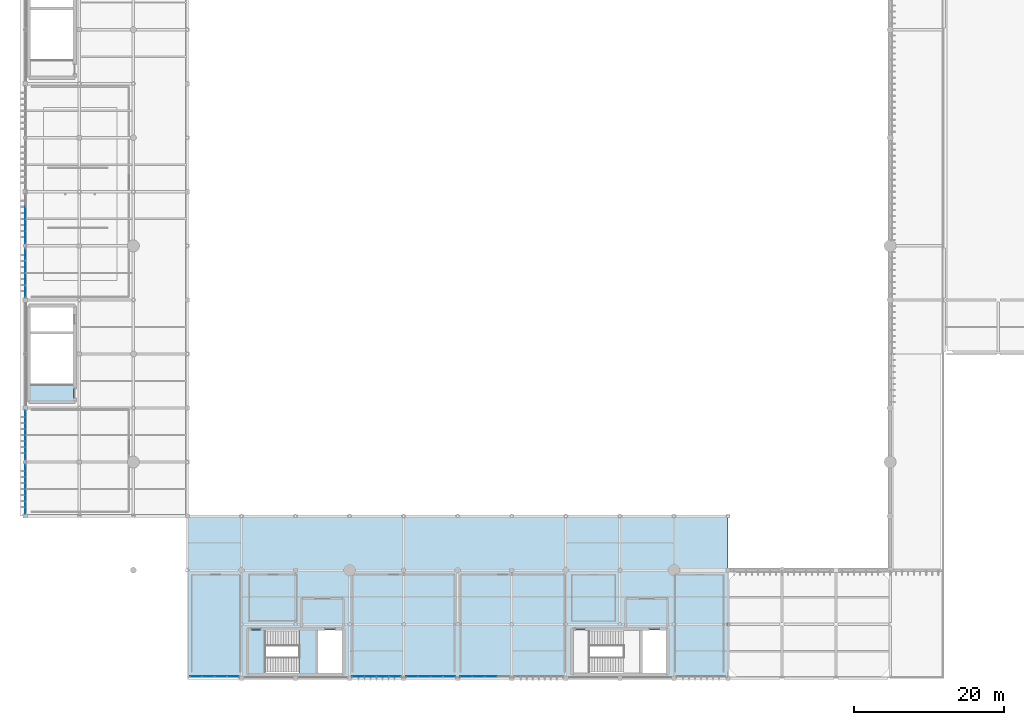
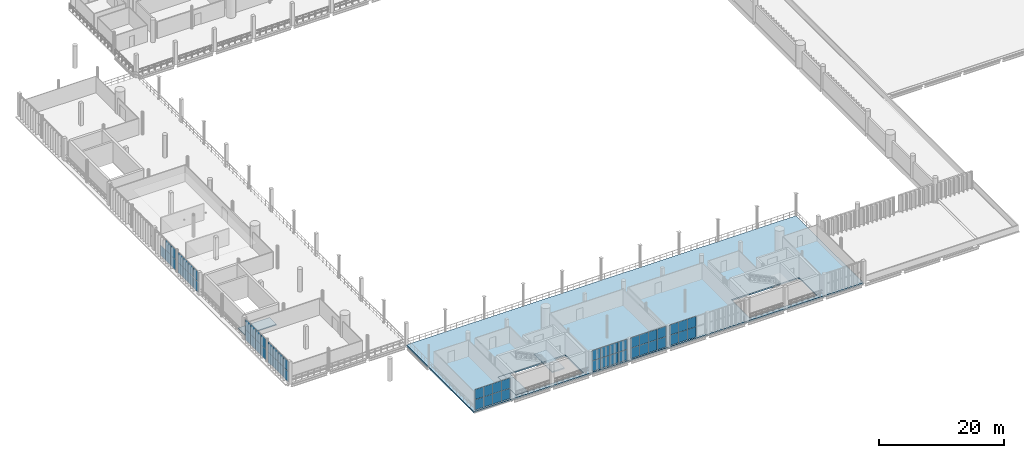
# One storey, part 51 of 81: 59 plates, 4 slabs, 9 elements without a shape of their own.
"""IFC4 building model written with IfcOpenShell, lengths in metres."""

from ifc_helpers import new_model, si_unit, direction, frame, origin, origin_2d, place, context, subcontext, project, spatial, polyline, rectangle, outline, extrude, material, layer, layer_set, type_object, element, aggregate, save


model = new_model("IFC4")

# Units and contexts
model_context = context("Model", 3, precision=1e-05, world=origin(), true_north=direction((0.0, 1.0)))
body_context = subcontext(model_context, "Body", "Model", "MODEL_VIEW")
ifc_project = project(units=[si_unit("LENGTHUNIT", "METRE"), si_unit("AREAUNIT", "SQUARE_METRE"), si_unit("VOLUMEUNIT", "CUBIC_METRE"), si_unit("PLANEANGLEUNIT", "RADIAN"), si_unit("MASSUNIT", "GRAM", prefix="KILO")], contexts=[model_context])

# Site, building, storey
site_placement = place(None, origin())
site = spatial("IfcSite", under=ifc_project, at=site_placement, CompositionType="ELEMENT")
building_placement = place(site_placement, origin())
building = spatial("IfcBuilding", under=site, at=building_placement, Name="Qandorah Velis Arena", CompositionType="ELEMENT")
storey_placement = place(building_placement, frame((0.0, 0.0, 18.60009765625)))
storey = spatial("IfcBuildingStorey", under=building, at=storey_placement, Name="L04", CompositionType="ELEMENT", Elevation=18.60009765625)

# Curtain wall, plates
ifc_material_1 = material(Name="Solar-control low-E double glazing", Category="glass")
curtain_wall_type_1 = type_object("IfcCurtainWallType", Name="ARC-CW-SYS10", PredefinedType="USERDEFINED", material=ifc_material_1)
curtain_wall_1_placement = place(storey_placement, origin())
curtain_wall_1 = element("IfcCurtainWall", 1, at=curtain_wall_1_placement, inside=storey, type_object=curtain_wall_type_1, Name="Unitised curtain wall L04-034", ObjectType="UNITISED CURTAIN WALL", PredefinedType="USERDEFINED")
ifc_layer_1 = layer(ifc_material_1, 0.02392578125)
ifc_layer_set_1 = layer_set([ifc_layer_1], Name="Solar-control low-E double glazing")
plate_type_1 = type_object("IfcPlateType", Name="ARC-CWP-GLZ24", PredefinedType="CURTAIN_PANEL", material=ifc_layer_set_1)
plate_1_placement = place(storey_placement, frame((0.0, 58.7412109375, 0.054931640625), z_axis=(0.0, 0.0, 1.0), x_axis=(0.0, 1.0, 0.0)))
plate_1 = element("IfcPlate", 2, at=plate_1_placement, type_object=plate_type_1, Name="CW10 panel 1.1", PredefinedType="CURTAIN_PANEL", context=body_context, shape_type="SweptSolid", body=[
    extrude(rectangle(XDim=1.572509765625, YDim=0.02392578125, at=origin_2d()), origin(), (0.0, 0.0, 1.0), 1.99755859375),
])
plate_2_placement = place(storey_placement, frame((0.0, 58.7412109375, 2.097412109375), z_axis=(0.0, 0.0, 1.0), x_axis=(0.0, 1.0, 0.0)))
plate_2 = element("IfcPlate", 3, at=plate_2_placement, type_object=plate_type_1, Name="CW10 panel 1.2", PredefinedType="CURTAIN_PANEL", context=body_context, shape_type="SweptSolid", body=[
    extrude(rectangle(XDim=1.572509765625, YDim=0.02392578125, at=origin_2d()), origin(), (0.0, 0.0, 1.0), 1.99755859375),
])
plate_3_placement = place(storey_placement, frame((0.0, 60.375, 0.054931640625), z_axis=(0.0, 0.0, 1.0), x_axis=(0.0, 1.0, 0.0)))
plate_3 = element("IfcPlate", 4, at=plate_3_placement, type_object=plate_type_1, Name="CW10 panel 2.1", PredefinedType="CURTAIN_PANEL", context=body_context, shape_type="SweptSolid", body=[
    extrude(rectangle(XDim=1.60498046875, YDim=0.02392578125, at=origin_2d()), origin(), (0.0, 0.0, 1.0), 1.99755859375),
])
plate_4_placement = place(storey_placement, frame((0.0, 60.375, 2.097412109375), z_axis=(0.0, 0.0, 1.0), x_axis=(0.0, 1.0, 0.0)))
plate_4 = element("IfcPlate", 5, at=plate_4_placement, type_object=plate_type_1, Name="CW10 panel 2.2", PredefinedType="CURTAIN_PANEL", context=body_context, shape_type="SweptSolid", body=[
    extrude(rectangle(XDim=1.60498046875, YDim=0.02392578125, at=origin_2d()), origin(), (0.0, 0.0, 1.0), 1.99755859375),
])
plate_5_placement = place(storey_placement, frame((0.0, 62.02490234375, 0.054931640625), z_axis=(0.0, 0.0, 1.0), x_axis=(0.0, 1.0, 0.0)))
plate_5 = element("IfcPlate", 6, at=plate_5_placement, type_object=plate_type_1, Name="CW10 panel 3.1", PredefinedType="CURTAIN_PANEL", context=body_context, shape_type="SweptSolid", body=[
    extrude(rectangle(XDim=1.60498046875, YDim=0.02392578125, at=origin_2d()), origin(), (0.0, 0.0, 1.0), 1.99755859375),
])
aggregate(curtain_wall_1, [plate_1, plate_2, plate_3, plate_4, plate_5])

curtain_wall_type_2 = type_object("IfcCurtainWallType", Name="ARC-CW-SYS02", PredefinedType="USERDEFINED", material=ifc_material_1)
curtain_wall_2_placement = place(storey_placement, origin())
curtain_wall_2 = element("IfcCurtainWall", 7, at=curtain_wall_2_placement, inside=storey, type_object=curtain_wall_type_2, Name="Unitised curtain wall L04-074", ObjectType="UNITISED CURTAIN WALL", PredefinedType="USERDEFINED")
plate_6_placement = place(storey_placement, frame((44.34130859375, 0.25, 0.054931640625), z_axis=(0.0, 0.0, 1.0), x_axis=(1.0, 0.0, 0.0)))
plate_6 = element("IfcPlate", 8, at=plate_6_placement, type_object=plate_type_1, Name="CW02 panel 1.1", PredefinedType="CURTAIN_PANEL", context=body_context, shape_type="SweptSolid", body=[
    extrude(rectangle(XDim=1.572509765625, YDim=0.02392578125, at=origin_2d()), origin(), (0.0, 0.0, 1.0), 1.99755859375),
])
plate_7_placement = place(storey_placement, frame((44.34130859375, 0.25, 2.097412109375), z_axis=(0.0, 0.0, 1.0), x_axis=(1.0, 0.0, 0.0)))
plate_7 = element("IfcPlate", 9, at=plate_7_placement, type_object=plate_type_1, Name="CW02 panel 1.2", PredefinedType="CURTAIN_PANEL", context=body_context, shape_type="SweptSolid", body=[
    extrude(rectangle(XDim=1.572509765625, YDim=0.02392578125, at=origin_2d()), origin(), (0.0, 0.0, 1.0), 1.99755859375),
])
plate_8_placement = place(storey_placement, frame((45.97509765625, 0.25, 0.054931640625), z_axis=(0.0, 0.0, 1.0), x_axis=(1.0, 0.0, 0.0)))
plate_8 = element("IfcPlate", 10, at=plate_8_placement, type_object=plate_type_1, Name="CW02 panel 2.1", PredefinedType="CURTAIN_PANEL", context=body_context, shape_type="SweptSolid", body=[
    extrude(rectangle(XDim=1.60498046875, YDim=0.02392578125, at=origin_2d()), origin(), (0.0, 0.0, 1.0), 1.99755859375),
])
plate_9_placement = place(storey_placement, frame((45.97509765625, 0.25, 2.097412109375), z_axis=(0.0, 0.0, 1.0), x_axis=(1.0, 0.0, 0.0)))
plate_9 = element("IfcPlate", 11, at=plate_9_placement, type_object=plate_type_1, Name="CW02 panel 2.2", PredefinedType="CURTAIN_PANEL", context=body_context, shape_type="SweptSolid", body=[
    extrude(rectangle(XDim=1.60498046875, YDim=0.02392578125, at=origin_2d()), origin(), (0.0, 0.0, 1.0), 1.99755859375),
])
plate_10_placement = place(storey_placement, frame((47.625, 0.25, 0.054931640625), z_axis=(0.0, 0.0, 1.0), x_axis=(1.0, 0.0, 0.0)))
plate_10 = element("IfcPlate", 12, at=plate_10_placement, type_object=plate_type_1, Name="CW02 panel 3.1", PredefinedType="CURTAIN_PANEL", context=body_context, shape_type="SweptSolid", body=[
    extrude(rectangle(XDim=1.60498046875, YDim=0.02392578125, at=origin_2d()), origin(), (0.0, 0.0, 1.0), 1.99755859375),
])
plate_11_placement = place(storey_placement, frame((47.625, 0.25, 2.097412109375), z_axis=(0.0, 0.0, 1.0), x_axis=(1.0, 0.0, 0.0)))
plate_11 = element("IfcPlate", 13, at=plate_11_placement, type_object=plate_type_1, Name="CW02 panel 3.2", PredefinedType="CURTAIN_PANEL", context=body_context, shape_type="SweptSolid", body=[
    extrude(rectangle(XDim=1.60498046875, YDim=0.02392578125, at=origin_2d()), origin(), (0.0, 0.0, 1.0), 1.99755859375),
])
plate_12_placement = place(storey_placement, frame((49.2587890625, 0.25, 0.054931640625), z_axis=(0.0, 0.0, 1.0), x_axis=(1.0, 0.0, 0.0)))
plate_12 = element("IfcPlate", 14, at=plate_12_placement, type_object=plate_type_1, Name="CW02 panel 4.1", PredefinedType="CURTAIN_PANEL", context=body_context, shape_type="SweptSolid", body=[
    extrude(rectangle(XDim=1.572509765625, YDim=0.02392578125, at=origin_2d()), origin(), (0.0, 0.0, 1.0), 1.99755859375),
])
plate_13_placement = place(storey_placement, frame((49.2587890625, 0.25, 2.097412109375), z_axis=(0.0, 0.0, 1.0), x_axis=(1.0, 0.0, 0.0)))
plate_13 = element("IfcPlate", 15, at=plate_13_placement, type_object=plate_type_1, Name="CW02 panel 4.2", PredefinedType="CURTAIN_PANEL", context=body_context, shape_type="SweptSolid", body=[
    extrude(rectangle(XDim=1.572509765625, YDim=0.02392578125, at=origin_2d()), origin(), (0.0, 0.0, 1.0), 1.99755859375),
])
aggregate(curtain_wall_2, [plate_6, plate_7, plate_8, plate_9, plate_10, plate_11, plate_12, plate_13])

curtain_wall_type_3 = type_object("IfcCurtainWallType", Name="ARC-CW-SYS09", PredefinedType="USERDEFINED", material=ifc_material_1)
curtain_wall_3_placement = place(storey_placement, origin())
curtain_wall_3 = element("IfcCurtainWall", 16, at=curtain_wall_3_placement, inside=storey, type_object=curtain_wall_type_3, Name="Unitised curtain wall L04-033", ObjectType="UNITISED CURTAIN WALL", PredefinedType="USERDEFINED")
ifc_layer_2 = layer(ifc_material_1, 0.028076171875)
ifc_layer_set_2 = layer_set([ifc_layer_2], Name="Solar-control low-E double glazing")
plate_type_2 = type_object("IfcPlateType", Name="ARC-CWP-GLZ28", PredefinedType="CURTAIN_PANEL", material=ifc_layer_set_2)
plate_14_placement = place(storey_placement, frame((0.0, 51.543701171875, 0.06494140625), z_axis=(0.0, 0.0, 1.0), x_axis=(0.0, 1.0, 0.0)))
plate_14 = element("IfcPlate", 17, at=plate_14_placement, type_object=plate_type_2, Name="CW09 panel 1.1", PredefinedType="CURTAIN_PANEL", context=body_context, shape_type="SweptSolid", body=[
    extrude(rectangle(XDim=1.5576171875, YDim=0.028076171875, at=origin_2d()), origin(), (0.0, 0.0, 1.0), 1.982421875),
])
plate_15_placement = place(storey_placement, frame((0.0, 51.543701171875, 2.1025390625), z_axis=(0.0, 0.0, 1.0), x_axis=(0.0, 1.0, 0.0)))
plate_15 = element("IfcPlate", 18, at=plate_15_placement, type_object=plate_type_2, Name="CW09 panel 1.2", PredefinedType="CURTAIN_PANEL", context=body_context, shape_type="SweptSolid", body=[
    extrude(rectangle(XDim=1.5576171875, YDim=0.028076171875, at=origin_2d()), origin(), (0.0, 0.0, 1.0), 1.982421875),
])
plate_16_placement = place(storey_placement, frame((0.0, 53.175048828125, 0.06494140625), z_axis=(0.0, 0.0, 1.0), x_axis=(0.0, 1.0, 0.0)))
plate_16 = element("IfcPlate", 19, at=plate_16_placement, type_object=plate_type_2, Name="CW09 panel 2.1", PredefinedType="CURTAIN_PANEL", context=body_context, shape_type="SweptSolid", body=[
    extrude(rectangle(XDim=1.594970703125, YDim=0.028076171875, at=origin_2d()), origin(), (0.0, 0.0, 1.0), 1.982421875),
])
plate_17_placement = place(storey_placement, frame((0.0, 53.175048828125, 2.1025390625), z_axis=(0.0, 0.0, 1.0), x_axis=(0.0, 1.0, 0.0)))
plate_17 = element("IfcPlate", 20, at=plate_17_placement, type_object=plate_type_2, Name="CW09 panel 2.2", PredefinedType="CURTAIN_PANEL", context=body_context, shape_type="SweptSolid", body=[
    extrude(rectangle(XDim=1.594970703125, YDim=0.028076171875, at=origin_2d()), origin(), (0.0, 0.0, 1.0), 1.982421875),
])
plate_18_placement = place(storey_placement, frame((0.0, 54.824951171875, 0.06494140625), z_axis=(0.0, 0.0, 1.0), x_axis=(0.0, 1.0, 0.0)))
plate_18 = element("IfcPlate", 21, at=plate_18_placement, type_object=plate_type_2, Name="CW09 panel 3.1", PredefinedType="CURTAIN_PANEL", context=body_context, shape_type="SweptSolid", body=[
    extrude(rectangle(XDim=1.594970703125, YDim=0.028076171875, at=origin_2d()), origin(), (0.0, 0.0, 1.0), 1.982421875),
])
plate_19_placement = place(storey_placement, frame((0.0, 54.824951171875, 2.1025390625), z_axis=(0.0, 0.0, 1.0), x_axis=(0.0, 1.0, 0.0)))
plate_19 = element("IfcPlate", 22, at=plate_19_placement, type_object=plate_type_2, Name="CW09 panel 3.2", PredefinedType="CURTAIN_PANEL", context=body_context, shape_type="SweptSolid", body=[
    extrude(rectangle(XDim=1.594970703125, YDim=0.028076171875, at=origin_2d()), origin(), (0.0, 0.0, 1.0), 1.982421875),
])
plate_20_placement = place(storey_placement, frame((0.0, 56.456298828125, 0.06494140625), z_axis=(0.0, 0.0, 1.0), x_axis=(0.0, 1.0, 0.0)))
plate_20 = element("IfcPlate", 23, at=plate_20_placement, type_object=plate_type_2, Name="CW09 panel 4.1", PredefinedType="CURTAIN_PANEL", context=body_context, shape_type="SweptSolid", body=[
    extrude(rectangle(XDim=1.5576171875, YDim=0.028076171875, at=origin_2d()), origin(), (0.0, 0.0, 1.0), 1.982421875),
])
plate_21_placement = place(storey_placement, frame((0.0, 56.456298828125, 2.1025390625), z_axis=(0.0, 0.0, 1.0), x_axis=(0.0, 1.0, 0.0)))
plate_21 = element("IfcPlate", 24, at=plate_21_placement, type_object=plate_type_2, Name="CW09 panel 4.2", PredefinedType="CURTAIN_PANEL", context=body_context, shape_type="SweptSolid", body=[
    extrude(rectangle(XDim=1.5576171875, YDim=0.028076171875, at=origin_2d()), origin(), (0.0, 0.0, 1.0), 1.982421875),
])
aggregate(curtain_wall_3, [plate_14, plate_15, plate_16, plate_17, plate_18, plate_19, plate_20, plate_21])

curtain_wall_type_4 = type_object("IfcCurtainWallType", Name="ARC-CW-SYS01", PredefinedType="USERDEFINED", material=ifc_material_1)
curtain_wall_4_placement = place(storey_placement, origin())
curtain_wall_4 = element("IfcCurtainWall", 25, at=curtain_wall_4_placement, inside=storey, type_object=curtain_wall_type_4, Name="Unitised curtain wall L04-073", ObjectType="UNITISED CURTAIN WALL", PredefinedType="USERDEFINED")
plate_22_placement = place(storey_placement, frame((22.74365234375, 0.25, 0.06494140625), z_axis=(0.0, 0.0, 1.0), x_axis=(1.0, 0.0, 0.0)))
plate_22 = element("IfcPlate", 26, at=plate_22_placement, type_object=plate_type_2, Name="CW01 panel 1.1", PredefinedType="CURTAIN_PANEL", context=body_context, shape_type="SweptSolid", body=[
    extrude(rectangle(XDim=1.5576171875, YDim=0.028076171875, at=origin_2d()), origin(), (0.0, 0.0, 1.0), 1.982421875),
])
plate_23_placement = place(storey_placement, frame((22.74365234375, 0.25, 2.1025390625), z_axis=(0.0, 0.0, 1.0), x_axis=(1.0, 0.0, 0.0)))
plate_23 = element("IfcPlate", 27, at=plate_23_placement, type_object=plate_type_2, Name="CW01 panel 1.2", PredefinedType="CURTAIN_PANEL", context=body_context, shape_type="SweptSolid", body=[
    extrude(rectangle(XDim=1.5576171875, YDim=0.028076171875, at=origin_2d()), origin(), (0.0, 0.0, 1.0), 1.982421875),
])
plate_24_placement = place(storey_placement, frame((24.375, 0.25, 0.06494140625), z_axis=(0.0, 0.0, 1.0), x_axis=(1.0, 0.0, 0.0)))
plate_24 = element("IfcPlate", 28, at=plate_24_placement, type_object=plate_type_2, Name="CW01 panel 2.1", PredefinedType="CURTAIN_PANEL", context=body_context, shape_type="SweptSolid", body=[
    extrude(rectangle(XDim=1.594970703125, YDim=0.028076171875, at=origin_2d()), origin(), (0.0, 0.0, 1.0), 1.982421875),
])
plate_25_placement = place(storey_placement, frame((24.375, 0.25, 2.1025390625), z_axis=(0.0, 0.0, 1.0), x_axis=(1.0, 0.0, 0.0)))
plate_25 = element("IfcPlate", 29, at=plate_25_placement, type_object=plate_type_2, Name="CW01 panel 2.2", PredefinedType="CURTAIN_PANEL", context=body_context, shape_type="SweptSolid", body=[
    extrude(rectangle(XDim=1.594970703125, YDim=0.028076171875, at=origin_2d()), origin(), (0.0, 0.0, 1.0), 1.982421875),
])
plate_26_placement = place(storey_placement, frame((26.02490234375, 0.25, 0.06494140625), z_axis=(0.0, 0.0, 1.0), x_axis=(1.0, 0.0, 0.0)))
plate_26 = element("IfcPlate", 30, at=plate_26_placement, type_object=plate_type_2, Name="CW01 panel 3.1", PredefinedType="CURTAIN_PANEL", context=body_context, shape_type="SweptSolid", body=[
    extrude(rectangle(XDim=1.594970703125, YDim=0.028076171875, at=origin_2d()), origin(), (0.0, 0.0, 1.0), 1.982421875),
])
plate_27_placement = place(storey_placement, frame((26.02490234375, 0.25, 2.1025390625), z_axis=(0.0, 0.0, 1.0), x_axis=(1.0, 0.0, 0.0)))
plate_27 = element("IfcPlate", 31, at=plate_27_placement, type_object=plate_type_2, Name="CW01 panel 3.2", PredefinedType="CURTAIN_PANEL", context=body_context, shape_type="SweptSolid", body=[
    extrude(rectangle(XDim=1.594970703125, YDim=0.028076171875, at=origin_2d()), origin(), (0.0, 0.0, 1.0), 1.982421875),
])
plate_28_placement = place(storey_placement, frame((27.65625, 0.25, 0.06494140625), z_axis=(0.0, 0.0, 1.0), x_axis=(1.0, 0.0, 0.0)))
plate_28 = element("IfcPlate", 32, at=plate_28_placement, type_object=plate_type_2, Name="CW01 panel 4.1", PredefinedType="CURTAIN_PANEL", context=body_context, shape_type="SweptSolid", body=[
    extrude(rectangle(XDim=1.5576171875, YDim=0.028076171875, at=origin_2d()), origin(), (0.0, 0.0, 1.0), 1.982421875),
])
plate_29_placement = place(storey_placement, frame((27.65625, 0.25, 2.1025390625), z_axis=(0.0, 0.0, 1.0), x_axis=(1.0, 0.0, 0.0)))
plate_29 = element("IfcPlate", 33, at=plate_29_placement, type_object=plate_type_2, Name="CW01 panel 4.2", PredefinedType="CURTAIN_PANEL", context=body_context, shape_type="SweptSolid", body=[
    extrude(rectangle(XDim=1.5576171875, YDim=0.028076171875, at=origin_2d()), origin(), (0.0, 0.0, 1.0), 1.982421875),
])
aggregate(curtain_wall_4, [plate_22, plate_23, plate_24, plate_25, plate_26, plate_27, plate_28, plate_29])

curtain_wall_type_5 = type_object("IfcCurtainWallType", Name="ARC-CW-SYS08", PredefinedType="USERDEFINED", material=ifc_material_1)
curtain_wall_5_placement = place(storey_placement, origin())
curtain_wall_5 = element("IfcCurtainWall", 34, at=curtain_wall_5_placement, inside=storey, type_object=curtain_wall_type_5, Name="Unitised curtain wall L04-032", ObjectType="UNITISED CURTAIN WALL", PredefinedType="USERDEFINED")
ifc_layer_3 = layer(ifc_material_1, 0.030029296875)
ifc_layer_set_3 = layer_set([ifc_layer_3], Name="Solar-control low-E double glazing")
plate_type_3 = type_object("IfcPlateType", Name="ARC-CWP-GLZ30", PredefinedType="CURTAIN_PANEL", material=ifc_layer_set_3)
plate_30_placement = place(storey_placement, frame((0.0, 29.938720703125, 0.044921875), z_axis=(0.0, 0.0, 1.0), x_axis=(0.0, 1.0, 0.0)))
plate_30 = element("IfcPlate", 35, at=plate_30_placement, type_object=plate_type_3, Name="CW08 panel 1.1", PredefinedType="CURTAIN_PANEL", context=body_context, shape_type="SweptSolid", body=[
    extrude(rectangle(XDim=1.58740234375, YDim=0.030029296875, at=origin_2d()), origin(), (0.0, 0.0, 1.0), 2.012451171875),
])
plate_31_placement = place(storey_placement, frame((0.0, 29.938720703125, 2.09228515625), z_axis=(0.0, 0.0, 1.0), x_axis=(0.0, 1.0, 0.0)))
plate_31 = element("IfcPlate", 36, at=plate_31_placement, type_object=plate_type_3, Name="CW08 panel 1.2", PredefinedType="CURTAIN_PANEL", context=body_context, shape_type="SweptSolid", body=[
    extrude(rectangle(XDim=1.58740234375, YDim=0.030029296875, at=origin_2d()), origin(), (0.0, 0.0, 1.0), 2.012451171875),
])
plate_32_placement = place(storey_placement, frame((0.0, 31.574951171875, 0.044921875), z_axis=(0.0, 0.0, 1.0), x_axis=(0.0, 1.0, 0.0)))
plate_32 = element("IfcPlate", 37, at=plate_32_placement, type_object=plate_type_3, Name="CW08 panel 2.1", PredefinedType="CURTAIN_PANEL", context=body_context, shape_type="SweptSolid", body=[
    extrude(rectangle(XDim=1.614990234375, YDim=0.030029296875, at=origin_2d()), origin(), (0.0, 0.0, 1.0), 2.012451171875),
])
plate_33_placement = place(storey_placement, frame((0.0, 31.574951171875, 2.09228515625), z_axis=(0.0, 0.0, 1.0), x_axis=(0.0, 1.0, 0.0)))
plate_33 = element("IfcPlate", 38, at=plate_33_placement, type_object=plate_type_3, Name="CW08 panel 2.2", PredefinedType="CURTAIN_PANEL", context=body_context, shape_type="SweptSolid", body=[
    extrude(rectangle(XDim=1.614990234375, YDim=0.030029296875, at=origin_2d()), origin(), (0.0, 0.0, 1.0), 2.012451171875),
])
plate_34_placement = place(storey_placement, frame((0.0, 33.22509765625, 0.044921875), z_axis=(0.0, 0.0, 1.0), x_axis=(0.0, 1.0, 0.0)))
plate_34 = element("IfcPlate", 39, at=plate_34_placement, type_object=plate_type_3, Name="CW08 panel 3.1", PredefinedType="CURTAIN_PANEL", context=body_context, shape_type="SweptSolid", body=[
    extrude(rectangle(XDim=1.614990234375, YDim=0.030029296875, at=origin_2d()), origin(), (0.0, 0.0, 1.0), 2.012451171875),
])
plate_35_placement = place(storey_placement, frame((0.0, 33.22509765625, 2.09228515625), z_axis=(0.0, 0.0, 1.0), x_axis=(0.0, 1.0, 0.0)))
plate_35 = element("IfcPlate", 40, at=plate_35_placement, type_object=plate_type_3, Name="CW08 panel 3.2", PredefinedType="CURTAIN_PANEL", context=body_context, shape_type="SweptSolid", body=[
    extrude(rectangle(XDim=1.614990234375, YDim=0.030029296875, at=origin_2d()), origin(), (0.0, 0.0, 1.0), 2.012451171875),
])
plate_36_placement = place(storey_placement, frame((0.0, 34.861328125, 0.044921875), z_axis=(0.0, 0.0, 1.0), x_axis=(0.0, 1.0, 0.0)))
plate_36 = element("IfcPlate", 41, at=plate_36_placement, type_object=plate_type_3, Name="CW08 panel 4.1", PredefinedType="CURTAIN_PANEL", context=body_context, shape_type="SweptSolid", body=[
    extrude(rectangle(XDim=1.58740234375, YDim=0.030029296875, at=origin_2d()), origin(), (0.0, 0.0, 1.0), 2.012451171875),
])
plate_37_placement = place(storey_placement, frame((0.0, 34.861328125, 2.09228515625), z_axis=(0.0, 0.0, 1.0), x_axis=(0.0, 1.0, 0.0)))
plate_37 = element("IfcPlate", 42, at=plate_37_placement, type_object=plate_type_3, Name="CW08 panel 4.2", PredefinedType="CURTAIN_PANEL", context=body_context, shape_type="SweptSolid", body=[
    extrude(rectangle(XDim=1.58740234375, YDim=0.030029296875, at=origin_2d()), origin(), (0.0, 0.0, 1.0), 2.012451171875),
])
aggregate(curtain_wall_5, [plate_30, plate_31, plate_32, plate_33, plate_34, plate_35, plate_36, plate_37])

curtain_wall_type_6 = type_object("IfcCurtainWallType", Name="ARC-CW-SYS07", PredefinedType="USERDEFINED", material=ifc_material_1)
curtain_wall_6_placement = place(storey_placement, origin())
curtain_wall_6 = element("IfcCurtainWall", 43, at=curtain_wall_6_placement, inside=storey, type_object=curtain_wall_type_6, Name="Unitised curtain wall L04-031", ObjectType="UNITISED CURTAIN WALL", PredefinedType="USERDEFINED")
ifc_layer_4 = layer(ifc_material_1, 0.035888671875)
ifc_layer_set_4 = layer_set([ifc_layer_4], Name="Solar-control low-E double glazing")
plate_type_4 = type_object("IfcPlateType", Name="ARC-CWP-GLZ36", PredefinedType="CURTAIN_PANEL", material=ifc_layer_set_4)
plate_38_placement = place(storey_placement, frame((0.0, 22.739990234375, 0.050048828125), z_axis=(0.0, 0.0, 1.0), x_axis=(0.0, 1.0, 0.0)))
plate_38 = element("IfcPlate", 44, at=plate_38_placement, type_object=plate_type_4, Name="CW07 panel 1.1", PredefinedType="CURTAIN_PANEL", context=body_context, shape_type="SweptSolid", body=[
    extrude(rectangle(XDim=1.580078125, YDim=0.035888671875, at=origin_2d()), origin(), (0.0, 0.0, 1.0), 2.0048828125),
])
plate_39_placement = place(storey_placement, frame((0.0, 22.739990234375, 2.094970703125), z_axis=(0.0, 0.0, 1.0), x_axis=(0.0, 1.0, 0.0)))
plate_39 = element("IfcPlate", 45, at=plate_39_placement, type_object=plate_type_4, Name="CW07 panel 1.2", PredefinedType="CURTAIN_PANEL", context=body_context, shape_type="SweptSolid", body=[
    extrude(rectangle(XDim=1.580078125, YDim=0.035888671875, at=origin_2d()), origin(), (0.0, 0.0, 1.0), 2.0048828125),
])
plate_40_placement = place(storey_placement, frame((0.0, 24.375, 0.050048828125), z_axis=(0.0, 0.0, 1.0), x_axis=(0.0, 1.0, 0.0)))
plate_40 = element("IfcPlate", 46, at=plate_40_placement, type_object=plate_type_4, Name="CW07 panel 2.1", PredefinedType="CURTAIN_PANEL", context=body_context, shape_type="SweptSolid", body=[
    extrude(rectangle(XDim=1.610107421875, YDim=0.035888671875, at=origin_2d()), origin(), (0.0, 0.0, 1.0), 2.0048828125),
])
plate_41_placement = place(storey_placement, frame((0.0, 24.375, 2.094970703125), z_axis=(0.0, 0.0, 1.0), x_axis=(0.0, 1.0, 0.0)))
plate_41 = element("IfcPlate", 47, at=plate_41_placement, type_object=plate_type_4, Name="CW07 panel 2.2", PredefinedType="CURTAIN_PANEL", context=body_context, shape_type="SweptSolid", body=[
    extrude(rectangle(XDim=1.610107421875, YDim=0.035888671875, at=origin_2d()), origin(), (0.0, 0.0, 1.0), 2.0048828125),
])
plate_42_placement = place(storey_placement, frame((0.0, 26.02490234375, 0.050048828125), z_axis=(0.0, 0.0, 1.0), x_axis=(0.0, 1.0, 0.0)))
plate_42 = element("IfcPlate", 48, at=plate_42_placement, type_object=plate_type_4, Name="CW07 panel 3.1", PredefinedType="CURTAIN_PANEL", context=body_context, shape_type="SweptSolid", body=[
    extrude(rectangle(XDim=1.610107421875, YDim=0.035888671875, at=origin_2d()), origin(), (0.0, 0.0, 1.0), 2.0048828125),
])
plate_43_placement = place(storey_placement, frame((0.0, 26.02490234375, 2.094970703125), z_axis=(0.0, 0.0, 1.0), x_axis=(0.0, 1.0, 0.0)))
plate_43 = element("IfcPlate", 49, at=plate_43_placement, type_object=plate_type_4, Name="CW07 panel 3.2", PredefinedType="CURTAIN_PANEL", context=body_context, shape_type="SweptSolid", body=[
    extrude(rectangle(XDim=1.610107421875, YDim=0.035888671875, at=origin_2d()), origin(), (0.0, 0.0, 1.0), 2.0048828125),
])
plate_44_placement = place(storey_placement, frame((0.0, 27.659912109375, 0.050048828125), z_axis=(0.0, 0.0, 1.0), x_axis=(0.0, 1.0, 0.0)))
plate_44 = element("IfcPlate", 50, at=plate_44_placement, type_object=plate_type_4, Name="CW07 panel 4.1", PredefinedType="CURTAIN_PANEL", context=body_context, shape_type="SweptSolid", body=[
    extrude(rectangle(XDim=1.580078125, YDim=0.035888671875, at=origin_2d()), origin(), (0.0, 0.0, 1.0), 2.0048828125),
])
plate_45_placement = place(storey_placement, frame((0.0, 27.659912109375, 2.094970703125), z_axis=(0.0, 0.0, 1.0), x_axis=(0.0, 1.0, 0.0)))
plate_45 = element("IfcPlate", 51, at=plate_45_placement, type_object=plate_type_4, Name="CW07 panel 4.2", PredefinedType="CURTAIN_PANEL", context=body_context, shape_type="SweptSolid", body=[
    extrude(rectangle(XDim=1.580078125, YDim=0.035888671875, at=origin_2d()), origin(), (0.0, 0.0, 1.0), 2.0048828125),
])
aggregate(curtain_wall_6, [plate_38, plate_39, plate_40, plate_41, plate_42, plate_43, plate_44, plate_45])

curtain_wall_type_7 = type_object("IfcCurtainWallType", Name="ARC-CW-SYS04", PredefinedType="USERDEFINED", material=ifc_material_1)
curtain_wall_7_placement = place(storey_placement, origin())
curtain_wall_7 = element("IfcCurtainWall", 52, at=curtain_wall_7_placement, inside=storey, type_object=curtain_wall_type_7, Name="Unitised curtain wall L04-076", ObjectType="UNITISED CURTAIN WALL", PredefinedType="USERDEFINED")
plate_46_placement = place(storey_placement, frame((58.73876953125, 0.25, 0.044921875), z_axis=(0.0, 0.0, 1.0), x_axis=(1.0, 0.0, 0.0)))
plate_46 = element("IfcPlate", 53, at=plate_46_placement, type_object=plate_type_4, Name="CW04 panel 1.1", PredefinedType="CURTAIN_PANEL", context=body_context, shape_type="SweptSolid", body=[
    extrude(rectangle(XDim=1.58740234375, YDim=0.035888671875, at=origin_2d()), origin(), (0.0, 0.0, 1.0), 2.012451171875),
])
plate_47_placement = place(storey_placement, frame((58.73876953125, 0.25, 2.09228515625), z_axis=(0.0, 0.0, 1.0), x_axis=(1.0, 0.0, 0.0)))
plate_47 = element("IfcPlate", 54, at=plate_47_placement, type_object=plate_type_4, Name="CW04 panel 1.2", PredefinedType="CURTAIN_PANEL", context=body_context, shape_type="SweptSolid", body=[
    extrude(rectangle(XDim=1.58740234375, YDim=0.035888671875, at=origin_2d()), origin(), (0.0, 0.0, 1.0), 2.012451171875),
])
plate_48_placement = place(storey_placement, frame((60.375, 0.25, 0.044921875), z_axis=(0.0, 0.0, 1.0), x_axis=(1.0, 0.0, 0.0)))
plate_48 = element("IfcPlate", 55, at=plate_48_placement, type_object=plate_type_4, Name="CW04 panel 2.1", PredefinedType="CURTAIN_PANEL", context=body_context, shape_type="SweptSolid", body=[
    extrude(rectangle(XDim=1.614990234375, YDim=0.035888671875, at=origin_2d()), origin(), (0.0, 0.0, 1.0), 2.012451171875),
])
plate_49_placement = place(storey_placement, frame((60.375, 0.25, 2.09228515625), z_axis=(0.0, 0.0, 1.0), x_axis=(1.0, 0.0, 0.0)))
plate_49 = element("IfcPlate", 56, at=plate_49_placement, type_object=plate_type_4, Name="CW04 panel 2.2", PredefinedType="CURTAIN_PANEL", context=body_context, shape_type="SweptSolid", body=[
    extrude(rectangle(XDim=1.614990234375, YDim=0.035888671875, at=origin_2d()), origin(), (0.0, 0.0, 1.0), 2.012451171875),
])
plate_50_placement = place(storey_placement, frame((62.02490234375, 0.25, 0.044921875), z_axis=(0.0, 0.0, 1.0), x_axis=(1.0, 0.0, 0.0)))
plate_50 = element("IfcPlate", 57, at=plate_50_placement, type_object=plate_type_4, Name="CW04 panel 3.1", PredefinedType="CURTAIN_PANEL", context=body_context, shape_type="SweptSolid", body=[
    extrude(rectangle(XDim=1.614990234375, YDim=0.035888671875, at=origin_2d()), origin(), (0.0, 0.0, 1.0), 2.012451171875),
])
plate_51_placement = place(storey_placement, frame((62.02490234375, 0.25, 2.09228515625), z_axis=(0.0, 0.0, 1.0), x_axis=(1.0, 0.0, 0.0)))
plate_51 = element("IfcPlate", 58, at=plate_51_placement, type_object=plate_type_4, Name="CW04 panel 3.2", PredefinedType="CURTAIN_PANEL", context=body_context, shape_type="SweptSolid", body=[
    extrude(rectangle(XDim=1.614990234375, YDim=0.035888671875, at=origin_2d()), origin(), (0.0, 0.0, 1.0), 2.012451171875),
])
aggregate(curtain_wall_7, [plate_46, plate_47, plate_48, plate_49, plate_50, plate_51])

curtain_wall_type_8 = type_object("IfcCurtainWallType", Name="ARC-CW-SYS03", PredefinedType="USERDEFINED", material=ifc_material_1)
curtain_wall_8_placement = place(storey_placement, origin())
curtain_wall_8 = element("IfcCurtainWall", 59, at=curtain_wall_8_placement, inside=storey, type_object=curtain_wall_type_8, Name="Unitised curtain wall L04-075", ObjectType="UNITISED CURTAIN WALL", PredefinedType="USERDEFINED")
ifc_layer_5 = layer(ifc_material_1, 0.0439453125)
ifc_layer_set_5 = layer_set([ifc_layer_5], Name="Solar-control low-E double glazing")
plate_type_5 = type_object("IfcPlateType", Name="ARC-CWP-SPN44", PredefinedType="CURTAIN_PANEL", material=ifc_layer_set_5)
plate_52_placement = place(storey_placement, frame((51.5400390625, 0.25, 0.050048828125), z_axis=(0.0, 0.0, 1.0), x_axis=(1.0, 0.0, 0.0)))
plate_52 = element("IfcPlate", 60, at=plate_52_placement, type_object=plate_type_5, Name="CW03 panel 1.1", PredefinedType="CURTAIN_PANEL", context=body_context, shape_type="SweptSolid", body=[
    extrude(rectangle(XDim=1.580078125, YDim=0.0439453125, at=origin_2d()), origin(), (0.0, 0.0, 1.0), 2.0048828125),
])
plate_53_placement = place(storey_placement, frame((51.5400390625, 0.25, 2.094970703125), z_axis=(0.0, 0.0, 1.0), x_axis=(1.0, 0.0, 0.0)))
plate_53 = element("IfcPlate", 61, at=plate_53_placement, type_object=plate_type_5, Name="CW03 panel 1.2", PredefinedType="CURTAIN_PANEL", context=body_context, shape_type="SweptSolid", body=[
    extrude(rectangle(XDim=1.580078125, YDim=0.0439453125, at=origin_2d()), origin(), (0.0, 0.0, 1.0), 2.0048828125),
])
plate_54_placement = place(storey_placement, frame((53.175048828125, 0.25, 0.050048828125), z_axis=(0.0, 0.0, 1.0), x_axis=(1.0, 0.0, 0.0)))
plate_54 = element("IfcPlate", 62, at=plate_54_placement, type_object=plate_type_5, Name="CW03 panel 2.1", PredefinedType="CURTAIN_PANEL", context=body_context, shape_type="SweptSolid", body=[
    extrude(rectangle(XDim=1.610107421875, YDim=0.0439453125, at=origin_2d()), origin(), (0.0, 0.0, 1.0), 2.0048828125),
])
plate_55_placement = place(storey_placement, frame((53.175048828125, 0.25, 2.094970703125), z_axis=(0.0, 0.0, 1.0), x_axis=(1.0, 0.0, 0.0)))
plate_55 = element("IfcPlate", 63, at=plate_55_placement, type_object=plate_type_5, Name="CW03 panel 2.2", PredefinedType="CURTAIN_PANEL", context=body_context, shape_type="SweptSolid", body=[
    extrude(rectangle(XDim=1.610107421875, YDim=0.0439453125, at=origin_2d()), origin(), (0.0, 0.0, 1.0), 2.0048828125),
])
plate_56_placement = place(storey_placement, frame((54.824951171875, 0.25, 0.050048828125), z_axis=(0.0, 0.0, 1.0), x_axis=(1.0, 0.0, 0.0)))
plate_56 = element("IfcPlate", 64, at=plate_56_placement, type_object=plate_type_5, Name="CW03 panel 3.1", PredefinedType="CURTAIN_PANEL", context=body_context, shape_type="SweptSolid", body=[
    extrude(rectangle(XDim=1.610107421875, YDim=0.0439453125, at=origin_2d()), origin(), (0.0, 0.0, 1.0), 2.0048828125),
])
plate_57_placement = place(storey_placement, frame((54.824951171875, 0.25, 2.094970703125), z_axis=(0.0, 0.0, 1.0), x_axis=(1.0, 0.0, 0.0)))
plate_57 = element("IfcPlate", 65, at=plate_57_placement, type_object=plate_type_5, Name="CW03 panel 3.2", PredefinedType="CURTAIN_PANEL", context=body_context, shape_type="SweptSolid", body=[
    extrude(rectangle(XDim=1.610107421875, YDim=0.0439453125, at=origin_2d()), origin(), (0.0, 0.0, 1.0), 2.0048828125),
])
plate_58_placement = place(storey_placement, frame((56.4599609375, 0.25, 0.050048828125), z_axis=(0.0, 0.0, 1.0), x_axis=(1.0, 0.0, 0.0)))
plate_58 = element("IfcPlate", 66, at=plate_58_placement, type_object=plate_type_5, Name="CW03 panel 4.1", PredefinedType="CURTAIN_PANEL", context=body_context, shape_type="SweptSolid", body=[
    extrude(rectangle(XDim=1.580078125, YDim=0.0439453125, at=origin_2d()), origin(), (0.0, 0.0, 1.0), 2.0048828125),
])
plate_59_placement = place(storey_placement, frame((56.4599609375, 0.25, 2.094970703125), z_axis=(0.0, 0.0, 1.0), x_axis=(1.0, 0.0, 0.0)))
plate_59 = element("IfcPlate", 67, at=plate_59_placement, type_object=plate_type_5, Name="CW03 panel 4.2", PredefinedType="CURTAIN_PANEL", context=body_context, shape_type="SweptSolid", body=[
    extrude(rectangle(XDim=1.580078125, YDim=0.0439453125, at=origin_2d()), origin(), (0.0, 0.0, 1.0), 2.0048828125),
])
aggregate(curtain_wall_8, [plate_52, plate_53, plate_54, plate_55, plate_56, plate_57, plate_58, plate_59])

# Slabs
ifc_material_2 = material(Name="Concrete C40/50", Category="concrete")
ifc_layer_6 = layer(ifc_material_2, 0.27001953125)
ifc_layer_set_6 = layer_set([ifc_layer_6], Name="Concrete C40/50")
slab_type_1 = type_object("IfcSlabType", Name="STR-SLB-FL270", PredefinedType="FLOOR", material=ifc_layer_set_6)
slab_1_placement = place(storey_placement, frame((0.0, 0.0, -0.27001953125)))
element("IfcSlab", 68, at=slab_1_placement, inside=storey, type_object=slab_type_1, Name="Structural floor slab L04_SOUTH_MEDIA", PredefinedType="FLOOR", context=body_context, shape_type="SweptSolid", body=[
    extrude(outline(polyline([(93.60009765625, 0.0), (21.60009765625, 0.0), (21.60009765625, 21.60009765625), (93.60009765625, 21.60009765625), (93.60009765625, 0.0)]), holes=[polyline([(31.955078125, 0.64501953125), (42.2548828125, 0.64501953125), (42.2548828125, 6.455078125), (31.955078125, 6.455078125), (29.7451171875, 6.455078125), (29.7451171875, 0.64501953125), (31.955078125, 0.64501953125)]), polyline([(72.945068359375, 0.64501953125), (75.155029296875, 0.64501953125), (85.455078125, 0.64501953125), (85.455078125, 6.455078125), (75.155029296875, 6.455078125), (72.945068359375, 6.455078125), (72.945068359375, 0.64501953125)])]), origin(), (0.0, 0.0, 1.0), 0.27001953125),
])
ifc_layer_7 = layer(ifc_material_2, 0.219970703125)
ifc_layer_set_7 = layer_set([ifc_layer_7], Name="Concrete C40/50")
slab_type_2 = type_object("IfcSlabType", Name="STR-SLB-LND220", PredefinedType="LANDING", material=ifc_layer_set_7)
slab_2_placement = place(storey_placement, frame((0.0, 0.0, -0.22021484375)))
element("IfcSlab", 69, at=slab_2_placement, inside=storey, type_object=slab_type_2, Name="Stair ST1 storey landing slab L04", PredefinedType="LANDING", context=body_context, shape_type="SweptSolid", body=[
    extrude(outline(polyline([(29.75, 0.64990234375), (31.949951171875, 0.64990234375), (31.949951171875, 6.449951171875), (29.75, 6.449951171875), (29.75, 0.64990234375)])), origin(), (0.0, 0.0, 1.0), 0.22021484375),
])

# Stair, slab
stair_type = type_object("IfcStairType", Name="ARC-ST-CORE44", PredefinedType="HALF_TURN_STAIR", material=ifc_material_2)
stair_placement = place(storey_placement, origin())
stair = element("IfcStair", 70, at=stair_placement, inside=storey, type_object=stair_type, Name="Protected exit stair ST1 (L04)", PredefinedType="HALF_TURN_STAIR")
slab_3_placement = place(storey_placement, frame((0.0, 0.0, 1.97998046875)))
slab_3 = element("IfcSlab", 71, at=slab_3_placement, type_object=slab_type_2, Name="ST1 landing 1", PredefinedType="LANDING", context=body_context, shape_type="SweptSolid", body=[
    extrude(outline(polyline([(36.486083984375, 0.64990234375), (38.736083984375, 0.64990234375), (38.736083984375, 6.449951171875), (36.486083984375, 6.449951171875), (36.486083984375, 0.64990234375)])), origin(), (0.0, 0.0, 1.0), 0.219970703125),
])
aggregate(stair, [slab_3])

# Slab
slab_4_placement = place(storey_placement, frame((0.0, 0.0, -0.22021484375)))
element("IfcSlab", 72, at=slab_4_placement, inside=storey, type_object=slab_type_2, Name="Stair ST5 storey landing slab L04", PredefinedType="LANDING", context=body_context, shape_type="SweptSolid", body=[
    extrude(outline(polyline([(0.64990234375, 36.949951171875), (6.449951171875, 36.949951171875), (6.449951171875, 39.14990234375), (0.64990234375, 39.14990234375), (0.64990234375, 36.949951171875)])), origin(), (0.0, 0.0, 1.0), 0.22021484375),
])

save(model, "model.ifc")
